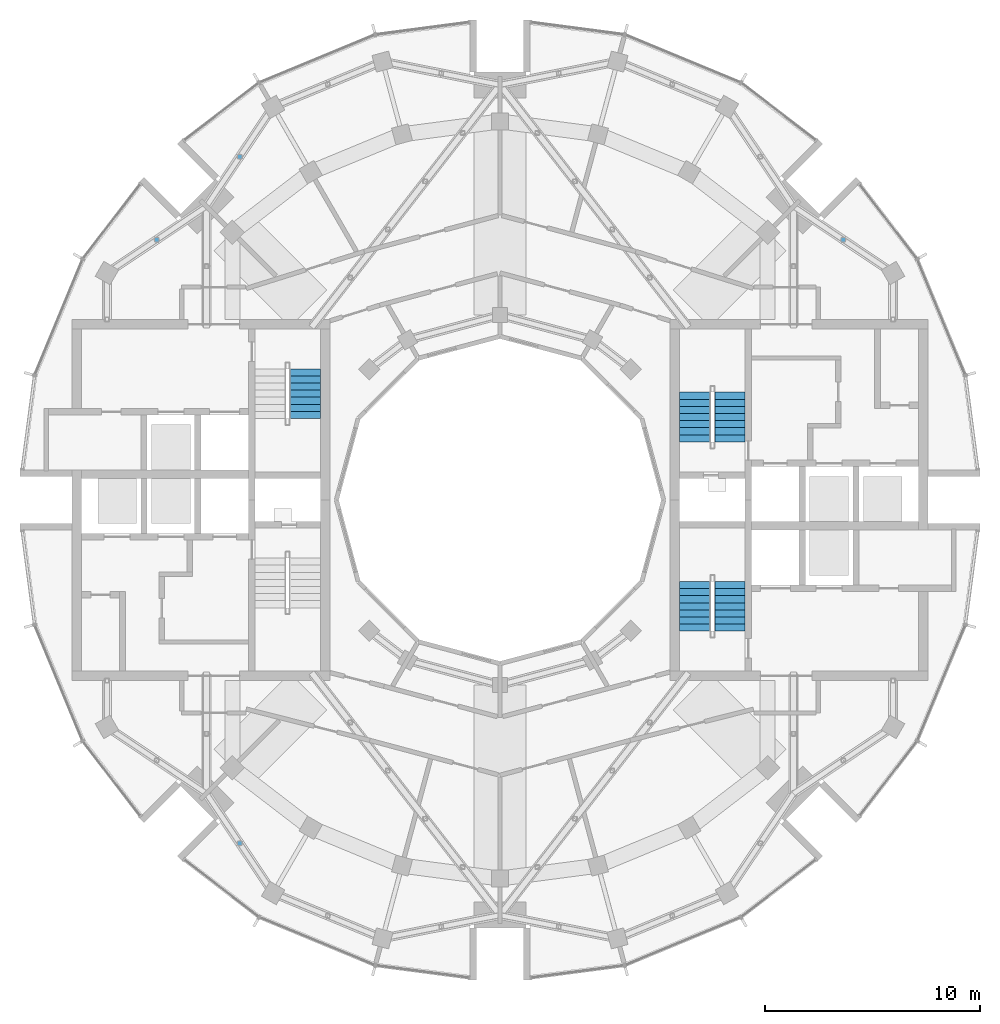
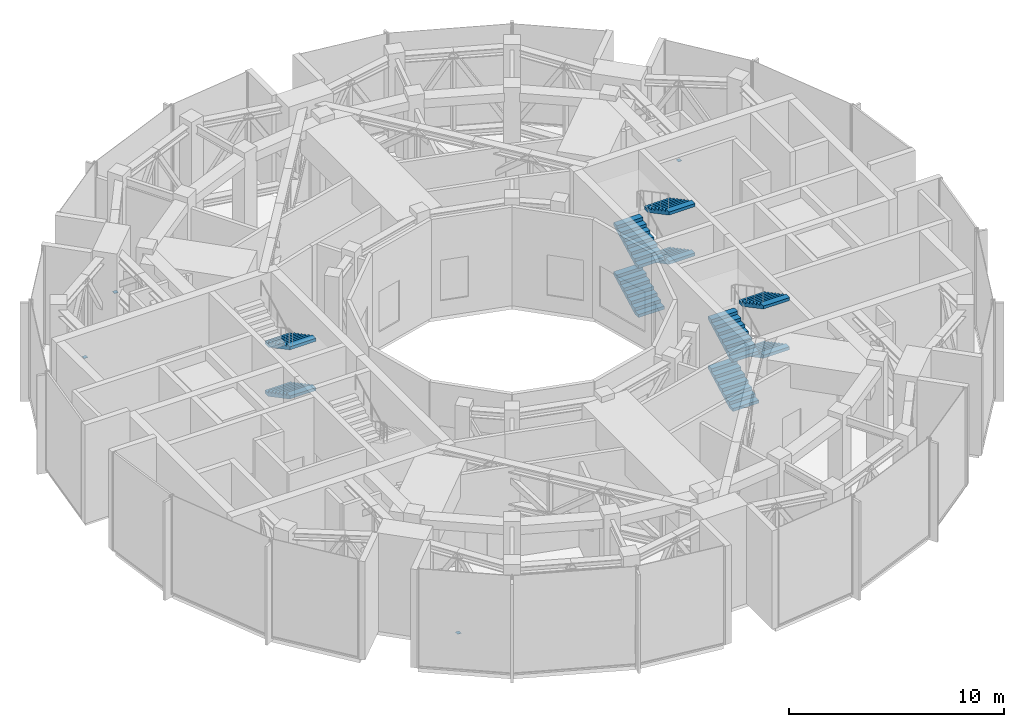
# One storey, part 15 of 17: 10 stair flights, 4 discrete accessories, 3 elements without a shape of their own.
"""IFC4 building model written with IfcOpenShell, lengths in metres."""

from ifc_helpers import new_model, si_unit, direction, frame, origin, origin_2d, place, context, subcontext, project, spatial, polyline, rectangle, outline, extrude, material, layer, layer_set, type_object, element, aggregate, save


model = new_model("IFC4")

# Units and contexts
model_context = context("Model", 3, precision=1e-05, world=origin(), true_north=direction((0.0, 1.0)))
body_context = subcontext(model_context, "Body", "Model", "MODEL_VIEW")
ifc_project = project(units=[si_unit("LENGTHUNIT", "METRE"), si_unit("AREAUNIT", "SQUARE_METRE"), si_unit("VOLUMEUNIT", "CUBIC_METRE"), si_unit("PLANEANGLEUNIT", "RADIAN"), si_unit("MASSUNIT", "GRAM", prefix="KILO")], contexts=[model_context])

# Site, building, storey
site_placement = place(None, origin())
site = spatial("IfcSite", under=ifc_project, at=site_placement, CompositionType="ELEMENT")
building_placement = place(site_placement, origin())
building = spatial("IfcBuilding", under=site, at=building_placement, Name="Torre Brocal", CompositionType="ELEMENT")
storey_placement = place(building_placement, frame((0.0, 0.0, 309.300048828125)))
storey = spatial("IfcBuildingStorey", under=building, at=storey_placement, Name="L71", CompositionType="ELEMENT", Elevation=309.300048828125)

# Stair, stair flights
ifc_material_1 = material(Name="Concrete C50", Category="concrete")
stair_type = type_object("IfcStairType", Name="EXIT STAIR", PredefinedType="HALF_TURN_STAIR", material=ifc_material_1)
stair_1_placement = place(storey_placement, origin())
stair_1 = element("IfcStair", 1, at=stair_1_placement, inside=storey, type_object=stair_type, Name="EXIT STAIR ST1", PredefinedType="HALF_TURN_STAIR")
ifc_material_2 = material(Name="Concrete C50", Category="concrete")
ifc_layer = layer(ifc_material_2, 0.14990234375)
ifc_layer_set = layer_set([ifc_layer], Name="Concrete C50")
stair_flight_type = type_object("IfcStairFlightType", Name="STAIR FLIGHT", PredefinedType="STRAIGHT", material=ifc_layer_set)
stair_flight_1_placement = place(storey_placement, frame((89.050048828125, 77.699951171875, 0.0), z_axis=(0.0, 0.0, 1.0), x_axis=(0.0, 1.0, 0.0)))
stair_flight_1 = element("IfcStairFlight", 2, at=stair_flight_1_placement, type_object=stair_flight_type, Name="ST1 flight 1", NumberOfRisers=8, NumberOfTreads=7, PredefinedType="STRAIGHT", RiserHeight=0.175, TreadLength=0.33, context=body_context, shape_type="SweptSolid", body=[
    extrude(outline(polyline([(0.0, 0.0), (0.0, 0.175048828125), (0.330078125, 0.175048828125), (0.330078125, 0.35009765625), (0.659912109375, 0.35009765625), (0.659912109375, 0.52490234375), (0.989990234375, 0.52490234375), (0.989990234375, 0.699951171875), (1.320068359375, 0.699951171875), (1.320068359375, 0.875), (1.64990234375, 0.875), (1.64990234375, 1.050048828125), (1.97998046875, 1.050048828125), (1.97998046875, 1.22509765625), (2.31005859375, 1.22509765625), (2.31005859375, 1.39990234375), (2.31005859375, 1.055419921875), (0.320068359375, 0.0), (0.0, 0.0)])), frame((0.0, 0.699951171875, 0.0), z_axis=(0.0, -1.0, 0.0), x_axis=(1.0, 0.0, 0.0)), (0.0, 0.0, 1.0), 1.39990234375),
])
stair_flight_2_placement = place(storey_placement, frame((90.699951171875, 80.010009765625, 1.39990234375), z_axis=(0.0, 0.0, 1.0), x_axis=(0.0, -1.0, 0.0)))
stair_flight_2 = element("IfcStairFlight", 3, at=stair_flight_2_placement, type_object=stair_flight_type, Name="ST1 flight 2", NumberOfRisers=8, NumberOfTreads=7, PredefinedType="STRAIGHT", RiserHeight=0.175, TreadLength=0.33, context=body_context, shape_type="SweptSolid", body=[
    extrude(outline(polyline([(0.0, 0.0), (0.0, 0.175048828125), (0.330078125, 0.175048828125), (0.330078125, 0.35009765625), (0.659912109375, 0.35009765625), (0.659912109375, 0.52490234375), (0.989990234375, 0.52490234375), (0.989990234375, 0.699951171875), (1.320068359375, 0.699951171875), (1.320068359375, 0.875), (1.64990234375, 0.875), (1.64990234375, 1.050048828125), (1.97998046875, 1.050048828125), (1.97998046875, 1.22509765625), (2.31005859375, 1.22509765625), (2.31005859375, 1.39990234375), (2.31005859375, 1.055419921875), (0.320068359375, 0.0), (0.0, 0.0)])), frame((0.0, 0.699951171875, 0.0), z_axis=(0.0, -1.0, 0.0), x_axis=(1.0, 0.0, 0.0)), (0.0, 0.0, 1.0), 1.39990234375),
])
stair_flight_3_placement = place(storey_placement, frame((89.050048828125, 77.699951171875, 2.800048828125), z_axis=(0.0, 0.0, 1.0), x_axis=(0.0, 1.0, 0.0)))
stair_flight_3 = element("IfcStairFlight", 4, at=stair_flight_3_placement, type_object=stair_flight_type, Name="ST1 flight 3", NumberOfRisers=8, NumberOfTreads=7, PredefinedType="STRAIGHT", RiserHeight=0.175, TreadLength=0.33, context=body_context, shape_type="SweptSolid", body=[
    extrude(outline(polyline([(0.0, 0.0), (0.0, 0.175048828125), (0.330078125, 0.175048828125), (0.330078125, 0.35009765625), (0.659912109375, 0.35009765625), (0.659912109375, 0.52490234375), (0.989990234375, 0.52490234375), (0.989990234375, 0.699951171875), (1.320068359375, 0.699951171875), (1.320068359375, 0.875), (1.64990234375, 0.875), (1.64990234375, 1.050048828125), (1.97998046875, 1.050048828125), (1.97998046875, 1.22509765625), (2.31005859375, 1.22509765625), (2.31005859375, 1.39990234375), (2.31005859375, 1.055419921875), (0.320068359375, 0.0), (0.0, 0.0)])), frame((0.0, 0.699951171875, 0.0), z_axis=(0.0, -1.0, 0.0), x_axis=(1.0, 0.0, 0.0)), (0.0, 0.0, 1.0), 1.39990234375),
])
stair_flight_4_placement = place(storey_placement, frame((90.699951171875, 80.010009765625, 4.199951171875), z_axis=(0.0, 0.0, 1.0), x_axis=(0.0, -1.0, 0.0)))
stair_flight_4 = element("IfcStairFlight", 5, at=stair_flight_4_placement, type_object=stair_flight_type, Name="ST1 flight 4", NumberOfRisers=8, NumberOfTreads=7, PredefinedType="STRAIGHT", RiserHeight=0.175, TreadLength=0.33, context=body_context, shape_type="SweptSolid", body=[
    extrude(outline(polyline([(0.0, 0.0), (0.0, 0.175048828125), (0.330078125, 0.175048828125), (0.330078125, 0.35009765625), (0.659912109375, 0.35009765625), (0.659912109375, 0.52490234375), (0.989990234375, 0.52490234375), (0.989990234375, 0.699951171875), (1.320068359375, 0.699951171875), (1.320068359375, 0.875), (1.64990234375, 0.875), (1.64990234375, 1.050048828125), (1.97998046875, 1.050048828125), (1.97998046875, 1.22509765625), (2.31005859375, 1.22509765625), (2.31005859375, 1.39990234375), (2.31005859375, 1.055419921875), (0.320068359375, 0.0), (0.0, 0.0)])), frame((0.0, 0.699951171875, 0.0), z_axis=(0.0, -1.0, 0.0), x_axis=(1.0, 0.0, 0.0)), (0.0, 0.0, 1.0), 1.39990234375),
])
aggregate(stair_1, [stair_flight_1, stair_flight_2, stair_flight_3, stair_flight_4])

stair_2_placement = place(storey_placement, origin())
stair_2 = element("IfcStair", 6, at=stair_2_placement, inside=storey, type_object=stair_type, Name="EXIT STAIR ST2", PredefinedType="HALF_TURN_STAIR")
stair_flight_5_placement = place(storey_placement, frame((89.050048828125, 68.89990234375, 0.0), z_axis=(0.0, 0.0, 1.0), x_axis=(0.0, 1.0, 0.0)))
stair_flight_5 = element("IfcStairFlight", 7, at=stair_flight_5_placement, type_object=stair_flight_type, Name="ST2 flight 1", NumberOfRisers=8, NumberOfTreads=7, PredefinedType="STRAIGHT", RiserHeight=0.175, TreadLength=0.33, context=body_context, shape_type="SweptSolid", body=[
    extrude(outline(polyline([(0.0, 0.0), (0.0, 0.175048828125), (0.330078125, 0.175048828125), (0.330078125, 0.35009765625), (0.659912109375, 0.35009765625), (0.659912109375, 0.52490234375), (0.989990234375, 0.52490234375), (0.989990234375, 0.699951171875), (1.320068359375, 0.699951171875), (1.320068359375, 0.875), (1.64990234375, 0.875), (1.64990234375, 1.050048828125), (1.97998046875, 1.050048828125), (1.97998046875, 1.22509765625), (2.31005859375, 1.22509765625), (2.31005859375, 1.39990234375), (2.31005859375, 1.055419921875), (0.320068359375, 0.0), (0.0, 0.0)])), frame((0.0, 0.699951171875, 0.0), z_axis=(0.0, -1.0, 0.0), x_axis=(1.0, 0.0, 0.0)), (0.0, 0.0, 1.0), 1.39990234375),
])
stair_flight_6_placement = place(storey_placement, frame((90.699951171875, 71.2099609375, 1.39990234375), z_axis=(0.0, 0.0, 1.0), x_axis=(0.0, -1.0, 0.0)))
stair_flight_6 = element("IfcStairFlight", 8, at=stair_flight_6_placement, type_object=stair_flight_type, Name="ST2 flight 2", NumberOfRisers=8, NumberOfTreads=7, PredefinedType="STRAIGHT", RiserHeight=0.175, TreadLength=0.33, context=body_context, shape_type="SweptSolid", body=[
    extrude(outline(polyline([(0.0, 0.0), (0.0, 0.175048828125), (0.330078125, 0.175048828125), (0.330078125, 0.35009765625), (0.659912109375, 0.35009765625), (0.659912109375, 0.52490234375), (0.989990234375, 0.52490234375), (0.989990234375, 0.699951171875), (1.320068359375, 0.699951171875), (1.320068359375, 0.875), (1.64990234375, 0.875), (1.64990234375, 1.050048828125), (1.97998046875, 1.050048828125), (1.97998046875, 1.22509765625), (2.31005859375, 1.22509765625), (2.31005859375, 1.39990234375), (2.31005859375, 1.055419921875), (0.320068359375, 0.0), (0.0, 0.0)])), frame((0.0, 0.699951171875, 0.0), z_axis=(0.0, -1.0, 0.0), x_axis=(1.0, 0.0, 0.0)), (0.0, 0.0, 1.0), 1.39990234375),
])
stair_flight_7_placement = place(storey_placement, frame((89.050048828125, 68.89990234375, 2.800048828125), z_axis=(0.0, 0.0, 1.0), x_axis=(0.0, 1.0, 0.0)))
stair_flight_7 = element("IfcStairFlight", 9, at=stair_flight_7_placement, type_object=stair_flight_type, Name="ST2 flight 3", NumberOfRisers=8, NumberOfTreads=7, PredefinedType="STRAIGHT", RiserHeight=0.175, TreadLength=0.33, context=body_context, shape_type="SweptSolid", body=[
    extrude(outline(polyline([(0.0, 0.0), (0.0, 0.175048828125), (0.330078125, 0.175048828125), (0.330078125, 0.35009765625), (0.659912109375, 0.35009765625), (0.659912109375, 0.52490234375), (0.989990234375, 0.52490234375), (0.989990234375, 0.699951171875), (1.320068359375, 0.699951171875), (1.320068359375, 0.875), (1.64990234375, 0.875), (1.64990234375, 1.050048828125), (1.97998046875, 1.050048828125), (1.97998046875, 1.22509765625), (2.31005859375, 1.22509765625), (2.31005859375, 1.39990234375), (2.31005859375, 1.055419921875), (0.320068359375, 0.0), (0.0, 0.0)])), frame((0.0, 0.699951171875, 0.0), z_axis=(0.0, -1.0, 0.0), x_axis=(1.0, 0.0, 0.0)), (0.0, 0.0, 1.0), 1.39990234375),
])
stair_flight_8_placement = place(storey_placement, frame((90.699951171875, 71.2099609375, 4.199951171875), z_axis=(0.0, 0.0, 1.0), x_axis=(0.0, -1.0, 0.0)))
stair_flight_8 = element("IfcStairFlight", 10, at=stair_flight_8_placement, type_object=stair_flight_type, Name="ST2 flight 4", NumberOfRisers=8, NumberOfTreads=7, PredefinedType="STRAIGHT", RiserHeight=0.175, TreadLength=0.33, context=body_context, shape_type="SweptSolid", body=[
    extrude(outline(polyline([(0.0, 0.0), (0.0, 0.175048828125), (0.330078125, 0.175048828125), (0.330078125, 0.35009765625), (0.659912109375, 0.35009765625), (0.659912109375, 0.52490234375), (0.989990234375, 0.52490234375), (0.989990234375, 0.699951171875), (1.320068359375, 0.699951171875), (1.320068359375, 0.875), (1.64990234375, 0.875), (1.64990234375, 1.050048828125), (1.97998046875, 1.050048828125), (1.97998046875, 1.22509765625), (2.31005859375, 1.22509765625), (2.31005859375, 1.39990234375), (2.31005859375, 1.055419921875), (0.320068359375, 0.0), (0.0, 0.0)])), frame((0.0, 0.699951171875, 0.0), z_axis=(0.0, -1.0, 0.0), x_axis=(1.0, 0.0, 0.0)), (0.0, 0.0, 1.0), 1.39990234375),
])
aggregate(stair_2, [stair_flight_5, stair_flight_6, stair_flight_7, stair_flight_8])

stair_3_placement = place(storey_placement, origin())
stair_3 = element("IfcStair", 11, at=stair_3_placement, inside=storey, type_object=stair_type, Name="EXIT STAIR ST4", PredefinedType="HALF_TURN_STAIR")
stair_flight_9_placement = place(storey_placement, frame((70.949951171875, 81.10009765625, 0.0), z_axis=(0.0, 0.0, 1.0), x_axis=(0.0, -1.0, 0.0)))
stair_flight_9 = element("IfcStairFlight", 12, at=stair_flight_9_placement, type_object=stair_flight_type, Name="ST4 flight 1", NumberOfRisers=8, NumberOfTreads=7, PredefinedType="STRAIGHT", RiserHeight=0.175, TreadLength=0.33, context=body_context, shape_type="SweptSolid", body=[
    extrude(outline(polyline([(0.0, 0.0), (0.0, 0.175048828125), (0.330078125, 0.175048828125), (0.330078125, 0.35009765625), (0.659912109375, 0.35009765625), (0.659912109375, 0.52490234375), (0.989990234375, 0.52490234375), (0.989990234375, 0.699951171875), (1.320068359375, 0.699951171875), (1.320068359375, 0.875), (1.64990234375, 0.875), (1.64990234375, 1.050048828125), (1.97998046875, 1.050048828125), (1.97998046875, 1.22509765625), (2.31005859375, 1.22509765625), (2.31005859375, 1.39990234375), (2.31005859375, 1.055419921875), (0.320068359375, 0.0), (0.0, 0.0)])), frame((0.0, 0.699951171875, 0.0), z_axis=(0.0, -1.0, 0.0), x_axis=(1.0, 0.0, 0.0)), (0.0, 0.0, 1.0), 1.39990234375),
])
stair_flight_10_placement = place(storey_placement, frame((70.949951171875, 81.10009765625, 2.800048828125), z_axis=(0.0, 0.0, 1.0), x_axis=(0.0, -1.0, 0.0)))
stair_flight_10 = element("IfcStairFlight", 13, at=stair_flight_10_placement, type_object=stair_flight_type, Name="ST4 flight 3", NumberOfRisers=8, NumberOfTreads=7, PredefinedType="STRAIGHT", RiserHeight=0.175, TreadLength=0.33, context=body_context, shape_type="SweptSolid", body=[
    extrude(outline(polyline([(0.0, 0.0), (0.0, 0.175048828125), (0.330078125, 0.175048828125), (0.330078125, 0.35009765625), (0.659912109375, 0.35009765625), (0.659912109375, 0.52490234375), (0.989990234375, 0.52490234375), (0.989990234375, 0.699951171875), (1.320068359375, 0.699951171875), (1.320068359375, 0.875), (1.64990234375, 0.875), (1.64990234375, 1.050048828125), (1.97998046875, 1.050048828125), (1.97998046875, 1.22509765625), (2.31005859375, 1.22509765625), (2.31005859375, 1.39990234375), (2.31005859375, 1.055419921875), (0.320068359375, 0.0), (0.0, 0.0)])), frame((0.0, 0.699951171875, 0.0), z_axis=(0.0, -1.0, 0.0), x_axis=(1.0, 0.0, 0.0)), (0.0, 0.0, 1.0), 1.39990234375),
])
aggregate(stair_3, [stair_flight_9, stair_flight_10])

# Discrete accessories
ifc_material_3 = material(Name="Steel A500 Grade C", Category="steel")
discrete_accessory_type = type_object("IfcDiscreteAccessoryType", Name="TRUSS POST END CAP", PredefinedType="NOTDEFINED", material=ifc_material_3)
for number, where, z_axis, x_axis, name in (
    (14, (95.960205078125, 87.0986328125, 0.579345703125), (0.0, 0.0, 1.0), (1.0, 0.0, 0.0), "Discrete Accessory BT3-P01C"),
    (15, (67.9013671875, 90.960205078125, 0.579345703125), (0.0, 0.0, 1.0), (1.0, 0.0, 0.0), "Discrete Accessory BT3-P07C"),
    (16, (64.039794921875, 87.0986328125, 0.579345703125), (0.0, 0.0, 1.0), (1.0, 0.0, 0.0), "Discrete Accessory BT3-P08C"),
    (17, (67.9013671875, 59.039794921875, 0.579345703125), (0.0, 0.0, 1.0), (1.0, 0.0, 0.0), "Discrete Accessory BT3-P12C"),
):
    element("IfcDiscreteAccessory", number, at=place(storey_placement, frame(where, z_axis=z_axis, x_axis=x_axis)), inside=storey, type_object=discrete_accessory_type, Name=name, PredefinedType="NOTDEFINED", context=body_context, shape_type="SweptSolid", body=[
        extrude(rectangle(XDim=0.203125, YDim=0.203125, at=origin_2d()), origin(), (0.0, 0.0, 1.0), 0.02001953125),
    ])

save(model, "model.ifc")
